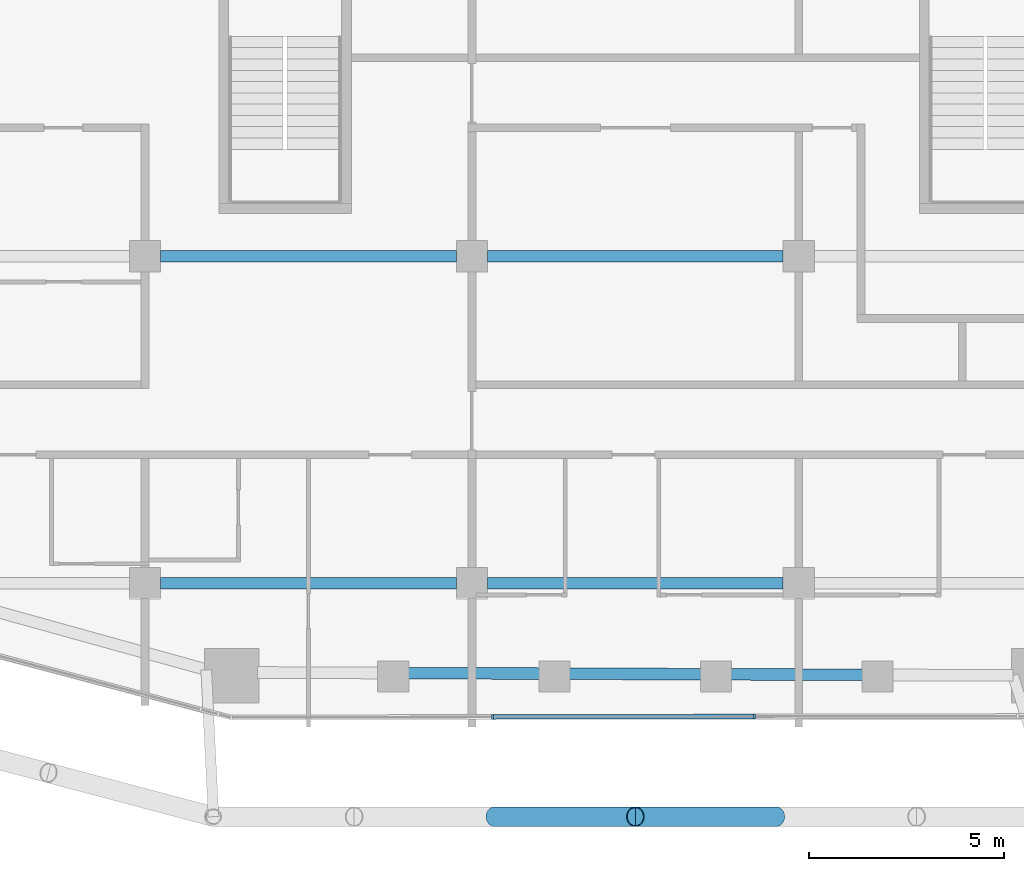
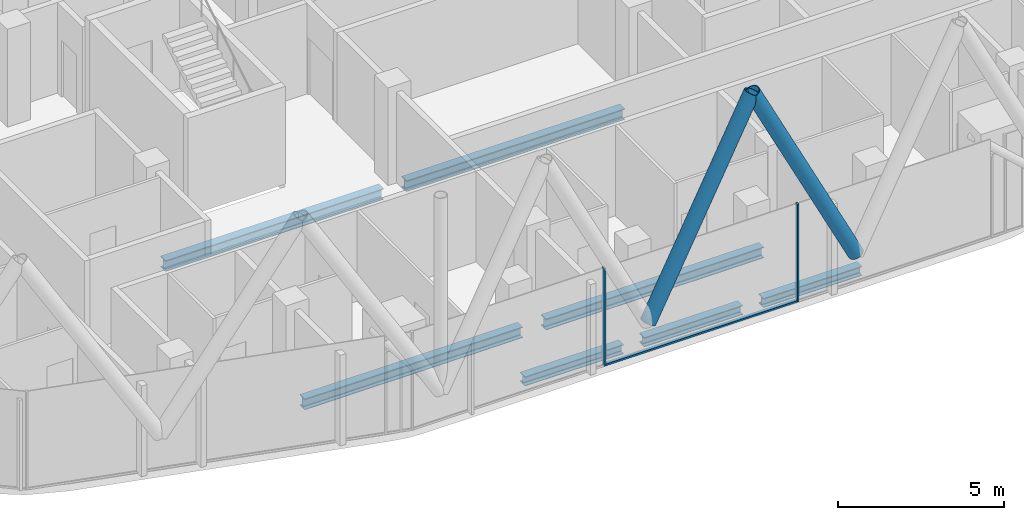
# One storey, part 3 of 28: 7 beams, 5 members, 1 element without a shape of its own.
"""IFC4 building model written with IfcOpenShell, lengths in metres."""

import ifcopenshell
import ifcopenshell.guid

model = None  # the IFC model being written
_history = None  # IfcOwnerHistory: only IFC2X3 demands one
_inside = {}  # id of a spatial element -> (the spatial element, [elements in it])
_under = {}  # id of a project, library or spatial element -> (it, [spatial elements below it])
_declared = {}  # id of a project -> (the project, [libraries it declares])
_typed = {}  # id of a type object -> (the type object, [elements of that type])
_made_of = {}  # id of a material, layer set ... -> (it, [elements and type objects made of it])


def new_model(schema):
    """Start an empty IFC model of exactly this schema.

    Asked for "IFC4X3", IfcOpenShell would pick the latest addendum, in which some entities
    have other attributes; the version numbers below select the first issue.
    IFC2X3 requires an IfcOwnerHistory on every rooted entity: one is made here for all.
    """
    global model, _history
    if schema == "IFC4X3":
        model = ifcopenshell.file(schema_version=(4, 3, 0, 0))
    else:
        model = ifcopenshell.file(schema=schema)
    _inside.clear()
    _under.clear()
    _declared.clear()
    _typed.clear()
    _made_of.clear()
    _history = None
    if model.schema == "IFC2X3":
        org = make("IfcOrganization", Name="unknown")
        user = make(
            "IfcPersonAndOrganization",
            ThePerson=make("IfcPerson", FamilyName="unknown"),
            TheOrganization=org,
        )
        app = make(
            "IfcApplication",
            ApplicationDeveloper=org,
            Version="unknown",
            ApplicationFullName="unknown",
            ApplicationIdentifier="unknown",
        )
        _history = make(
            "IfcOwnerHistory",
            OwningUser=user,
            OwningApplication=app,
            ChangeAction="ADDED",
            CreationDate=0,
        )
    return model


def make(cls, **values):
    """One entity of the class cls with the attributes given. An attribute that is None is left unset."""
    return model.create_entity(
        cls, **{name: value for name, value in values.items() if value is not None}
    )


def rooted(cls, **values):
    """An entity with a GlobalId (a new one), such as an element, a storey or a relation."""
    return make(cls, GlobalId=ifcopenshell.guid.new(), OwnerHistory=_history, **values)


def si_unit(unit_type, name, prefix=None):
    """IfcSIUnit, for example si_unit("LENGTHUNIT", "METRE", prefix="MILLI")."""
    return make("IfcSIUnit", UnitType=unit_type, Prefix=prefix, Name=name)


def assignment(units):
    """IfcUnitAssignment: the units of a project."""
    return None if units is None else make("IfcUnitAssignment", Units=units)


def point(xyz):
    """IfcCartesianPoint."""
    return None if xyz is None else make("IfcCartesianPoint", Coordinates=xyz)


def direction(xyz):
    """IfcDirection."""
    return None if xyz is None else make("IfcDirection", DirectionRatios=xyz)


def frame(location, z_axis=None, x_axis=None):
    """IfcAxis2Placement3D, a coordinate frame: its origin and axes. An axis left out is left unset."""
    return make(
        "IfcAxis2Placement3D",
        Location=point(location),
        Axis=direction(z_axis),
        RefDirection=direction(x_axis),
    )


def frame_2d(location, x_axis=None):
    """IfcAxis2Placement2D, a coordinate frame in the plane: its origin and x axis."""
    return make(
        "IfcAxis2Placement2D", Location=point(location), RefDirection=direction(x_axis)
    )


def origin():
    """The frame at (0, 0, 0) with its axes left unset."""
    return frame((0.0, 0.0, 0.0))


def origin_2d():
    """The frame at (0, 0) in the plane with its x axis left unset."""
    return frame_2d((0.0, 0.0))


def place(relative_to, where):
    """IfcLocalPlacement: puts the frame where relative to a parent placement (None: the world)."""
    return make(
        "IfcLocalPlacement", PlacementRelTo=relative_to, RelativePlacement=where
    )


def context(
    kind, dimensions, precision=None, world=None, true_north=None, identifier=None
):
    """IfcGeometricRepresentationContext, for example the 3D "Model" context."""
    return make(
        "IfcGeometricRepresentationContext",
        ContextIdentifier=identifier,
        ContextType=kind,
        CoordinateSpaceDimension=dimensions,
        Precision=precision,
        WorldCoordinateSystem=world,
        TrueNorth=true_north,
    )


def subcontext(parent, identifier, kind, view, scale=None):
    """IfcGeometricRepresentationSubContext, for example "Body" below "Model"."""
    return make(
        "IfcGeometricRepresentationSubContext",
        ContextIdentifier=identifier,
        ContextType=kind,
        ParentContext=parent,
        TargetScale=scale,
        TargetView=view,
    )


def project(units=None, contexts=None):
    """IfcProject with its units and contexts."""
    return rooted(
        "IfcProject",
        Name="project",
        RepresentationContexts=contexts,
        UnitsInContext=assignment(units),
    )


def spatial(cls, under=None, at=None, **own):
    """A site, building, storey or space (cls), placed at a placement, below another one or the project."""
    s = rooted(cls, ObjectPlacement=at, **own)
    if under is not None:
        _under.setdefault(under.id(), (under, []))[1].append(s)
    return s


def profile(cls, at=None, kind="AREA", **sizes):
    """A parametric profile (cls). Its sizes go by their IFC names, for example OverallWidth=200.0."""
    return make(cls, ProfileType=kind, Position=at, **sizes)


def rectangle(**sizes):
    """IfcRectangleProfileDef."""
    return profile("IfcRectangleProfileDef", **sizes)


def hollow_circle(**sizes):
    """IfcCircleHollowProfileDef."""
    return profile("IfcCircleHollowProfileDef", **sizes)


def i_section(**sizes):
    """IfcIShapeProfileDef."""
    return profile("IfcIShapeProfileDef", **sizes)


def extrude(swept, where, along, depth):
    """IfcExtrudedAreaSolid: the profile swept, set in the frame where, extruded along a direction by depth."""
    return make(
        "IfcExtrudedAreaSolid",
        SweptArea=swept,
        Position=where,
        ExtrudedDirection=direction(along),
        Depth=depth,
    )


def shape(context_of_items, identifier, shape_type, items):
    """IfcShapeRepresentation: the items that make up one representation, for example the "Body"."""
    return make(
        "IfcShapeRepresentation",
        ContextOfItems=context_of_items,
        RepresentationIdentifier=identifier,
        RepresentationType=shape_type,
        Items=items,
    )


def material(Name=None, Category=None):
    """IfcMaterial."""
    return make("IfcMaterial", Name=Name, Category=Category)


def layer(
    of_material, thickness, ventilated=None, Name=None, Category=None, Priority=None
):
    """IfcMaterialLayer: one layer of a wall or slab, of a material (None: an air gap)."""
    return make(
        "IfcMaterialLayer",
        Material=of_material,
        LayerThickness=thickness,
        IsVentilated=ventilated,
        Name=Name,
        Category=Category,
        Priority=Priority,
    )


def layer_set(layers, Name=None):
    """IfcMaterialLayerSet."""
    return make("IfcMaterialLayerSet", MaterialLayers=layers, LayerSetName=Name)


def material_profile(
    of_material, cross_section, Name=None, Category=None, Priority=None
):
    """IfcMaterialProfile: a cross section and its material."""
    return make(
        "IfcMaterialProfile",
        Name=Name,
        Material=of_material,
        Profile=cross_section,
        Priority=Priority,
        Category=Category,
    )


def profile_set(profiles, Name=None, composite=None):
    """IfcMaterialProfileSet."""
    return make(
        "IfcMaterialProfileSet",
        Name=Name,
        MaterialProfiles=profiles,
        CompositeProfile=composite,
    )


def made_of(thing, what):
    """Note that an element or type object is made of a material, layer set ...; save() writes the relation."""
    if what is not None:
        _made_of.setdefault(what.id(), (what, []))[1].append(thing)
    return thing


def type_object(cls, material=None, **own):
    """A type object (cls), such as IfcWallType, which elements share."""
    return made_of(rooted(cls, **own), material)


def element(
    cls,
    number,
    at=None,
    inside=None,
    cuts=None,
    type_object=None,
    material=None,
    context=None,
    identifier="Body",
    shape_type=None,
    held_by="IfcProductDefinitionShape",
    body=None,
    shapes=None,
    **own,
):
    """One element of the class cls, such as IfcWall. Its Tag is "e" and its number.

    at: its placement. inside: the storey or other place that contains it. cuts: it is an
    opening in that element (IfcRelVoidsElement). A single representation is given by context,
    identifier, shape_type and body (its items); several are given by shapes. held_by: the class
    of the entity that holds the representations. save() writes the other relations.
    """
    e = rooted(cls, Tag="e%d" % number, ObjectPlacement=at, **own)
    if body is not None:
        shapes = [shape(context, identifier, shape_type, body)]
    if shapes is not None:
        e.Representation = make(held_by, Representations=shapes)
    if inside is not None:
        _inside.setdefault(inside.id(), (inside, []))[1].append(e)
    if cuts is not None:
        rooted(
            "IfcRelVoidsElement", RelatingBuildingElement=cuts, RelatedOpeningElement=e
        )
    if type_object is not None:
        _typed.setdefault(type_object.id(), (type_object, []))[1].append(e)
    return made_of(e, material)


def aggregate(whole, parts):
    """IfcRelAggregates: a whole, such as a stair, and the parts it consists of."""
    return rooted("IfcRelAggregates", RelatingObject=whole, RelatedObjects=parts)


def save(model, path):
    """Write the relations noted so far, then the file.

    IfcRelAggregates (storeys below a building ...), IfcRelContainedInSpatialStructure (elements
    in a storey), IfcRelDefinesByType, IfcRelAssociatesMaterial and IfcRelDeclares: one each for
    every whole, place, type object, material and project.
    """
    for whole, parts in _under.values():
        aggregate(whole, parts)
    for where, things in _inside.values():
        rooted(
            "IfcRelContainedInSpatialStructure",
            RelatedElements=things,
            RelatingStructure=where,
        )
    for kind, things in _typed.values():
        rooted("IfcRelDefinesByType", RelatedObjects=things, RelatingType=kind)
    for what, things in _made_of.values():
        rooted("IfcRelAssociatesMaterial", RelatedObjects=things, RelatingMaterial=what)
    for by, libraries in _declared.values():
        rooted("IfcRelDeclares", RelatingContext=by, RelatedDefinitions=libraries)
    model.write(path)


model = new_model("IFC4")

# Units and contexts
model_context = context("Model", 3, precision=1e-05, world=origin(), true_north=direction((0.0, 1.0)))
body_context = subcontext(model_context, "Body", "Model", "MODEL_VIEW")
ifc_project = project(units=[si_unit("LENGTHUNIT", "METRE"), si_unit("AREAUNIT", "SQUARE_METRE"), si_unit("VOLUMEUNIT", "CUBIC_METRE"), si_unit("PLANEANGLEUNIT", "RADIAN"), si_unit("MASSUNIT", "GRAM", prefix="KILO")], contexts=[model_context])

# Site, building, storey
site_placement = place(None, origin())
site = spatial("IfcSite", under=ifc_project, at=site_placement, CompositionType="ELEMENT")
building_placement = place(site_placement, origin())
building = spatial("IfcBuilding", under=site, at=building_placement, Name="Marenta Gate Hotel Tower", CompositionType="ELEMENT")
storey_placement = place(building_placement, frame((0.0, 0.0, 198.5)))
storey = spatial("IfcBuildingStorey", under=building, at=storey_placement, Name="L45", CompositionType="ELEMENT", Elevation=198.5)

# Members
ifc_material_1 = material(Name="Steel S355J2W", Category="steel")
ifc_material_profile_1 = material_profile(ifc_material_1, hollow_circle(Radius=0.25390625, WallThickness=0.02490234375, at=origin_2d()), Name="CHS 508x25")
ifc_profile_set_1 = profile_set([ifc_material_profile_1], Name="Steel S355J2W")
member_type_1 = type_object("IfcMemberType", Name="Diagrid diagonal Z3 CHS 508x25", PredefinedType="BRACE", material=ifc_profile_set_1)
for number, where, z_axis, x_axis, name in (
    (1, (3.613037109375, -31.199951171875, 3.139892578125), (-0.44849810728, 0.0, 0.893783781329), (0.0, -1.0, 0.0), "L45-DG-17"),
    (2, (-3.613037109375, -31.199951171875, 3.139892578125), (0.44849810728, 0.0, 0.893783781329), (0.0, 1.0, 0.0), "L45-DG-18"),
):
    element("IfcMember", number, at=place(storey_placement, frame(where, z_axis=z_axis, x_axis=x_axis)), inside=storey, type_object=member_type_1, Name=name, PredefinedType="BRACE", context=body_context, shape_type="SweptSolid", body=[
        extrude(hollow_circle(Radius=0.25390625, WallThickness=0.02490234375, at=origin_2d()), origin(), (0.0, 0.0, 1.0), 8.055908203125),
    ])

# Beams
ifc_material_2 = material(Name="Steel S355", Category="steel")
ifc_material_profile_2 = material_profile(ifc_material_2, i_section(OverallWidth=0.300048828125, OverallDepth=0.340087890625, WebThickness=0.011962890625, FlangeThickness=0.021484375, FilletRadius=0.027099609375, at=origin_2d()), Name="HEB 340")
ifc_profile_set_2 = profile_set([ifc_material_profile_2], Name="Steel S355")
beam_type_1 = type_object("IfcBeamType", Name="Edge beam HEB 340", PredefinedType="SPANDREL", material=ifc_profile_set_2)
for number, where, z_axis, x_axis, name in (
    (3, (5.860107421875, -27.555419921875, -0.429931640625), (-0.999992599416, 0.003847221457, 0.0), (-0.003847221457, -0.999992599416, 0.0), "L45-EB-33"),
    (4, (1.71337890625, -27.539306640625, -0.429931640625), (-0.999992599416, 0.003847221457, 0.0), (-0.003847221457, -0.999992599416, 0.0), "L45-EB-34"),
    (5, (-2.433349609375, -27.5234375, -0.429931640625), (-0.999992599416, 0.003847221457, 0.0), (-0.003847221457, -0.999992599416, 0.0), "L45-EB-35"),
):
    element("IfcBeam", number, at=place(storey_placement, frame(where, z_axis=z_axis, x_axis=x_axis)), inside=storey, type_object=beam_type_1, Name=name, PredefinedType="SPANDREL", context=body_context, shape_type="SweptSolid", body=[
        extrude(i_section(OverallWidth=0.300048828125, OverallDepth=0.340087890625, WebThickness=0.011962890625, FlangeThickness=0.021484375, FilletRadius=0.027099609375, at=origin_2d()), origin(), (0.0, 0.0, 1.0), 3.4267578125),
    ])
ifc_material_3 = material(Name="Steel S355", Category="steel")
ifc_material_profile_3 = material_profile(ifc_material_3, i_section(OverallWidth=0.300048828125, OverallDepth=0.39990234375, WebThickness=0.013427734375, FlangeThickness=0.02392578125, FilletRadius=0.027099609375, at=origin_2d()), Name="HEB 400")
ifc_profile_set_3 = profile_set([ifc_material_profile_3], Name="Steel S355")
beam_type_2 = type_object("IfcBeamType", Name="Girder HEB 400", PredefinedType="BEAM", material=ifc_profile_set_3)
beam_1_placement = place(storey_placement, frame((-12.199951171875, -25.199951171875, -0.4599609375), z_axis=(1.0, 0.0, 0.0), x_axis=(0.0, 1.0, 0.0)))
element("IfcBeam", 6, at=beam_1_placement, inside=storey, type_object=beam_type_2, Name="L45-GD-2", PredefinedType="BEAM", context=body_context, shape_type="SweptSolid", body=[
    extrude(i_section(OverallWidth=0.300048828125, OverallDepth=0.39990234375, WebThickness=0.013427734375, FlangeThickness=0.02392578125, FilletRadius=0.027099609375, at=origin_2d()), origin(), (0.0, 0.0, 1.0), 7.599853515625),
])
beam_2_placement = place(storey_placement, frame((-3.800048828125, -25.199951171875, -0.4599609375), z_axis=(1.0, 0.0, 0.0), x_axis=(0.0, 1.0, 0.0)))
element("IfcBeam", 7, at=beam_2_placement, inside=storey, type_object=beam_type_2, Name="L45-GD-3", PredefinedType="BEAM", context=body_context, shape_type="SweptSolid", body=[
    extrude(i_section(OverallWidth=0.300048828125, OverallDepth=0.39990234375, WebThickness=0.013427734375, FlangeThickness=0.02392578125, FilletRadius=0.027099609375, at=origin_2d()), origin(), (0.0, 0.0, 1.0), 7.60009765625),
])
beam_3_placement = place(storey_placement, frame((-12.199951171875, -16.800048828125, -0.4599609375), z_axis=(1.0, 0.0, 0.0), x_axis=(0.0, 1.0, 0.0)))
element("IfcBeam", 8, at=beam_3_placement, inside=storey, type_object=beam_type_2, Name="L45-GD-8", PredefinedType="BEAM", context=body_context, shape_type="SweptSolid", body=[
    extrude(i_section(OverallWidth=0.300048828125, OverallDepth=0.39990234375, WebThickness=0.013427734375, FlangeThickness=0.02392578125, FilletRadius=0.027099609375, at=origin_2d()), origin(), (0.0, 0.0, 1.0), 7.599853515625),
])
beam_4_placement = place(storey_placement, frame((-3.800048828125, -16.800048828125, -0.4599609375), z_axis=(1.0, 0.0, 0.0), x_axis=(0.0, 1.0, 0.0)))
element("IfcBeam", 9, at=beam_4_placement, inside=storey, type_object=beam_type_2, Name="L45-GD-9", PredefinedType="BEAM", context=body_context, shape_type="SweptSolid", body=[
    extrude(i_section(OverallWidth=0.300048828125, OverallDepth=0.39990234375, WebThickness=0.013427734375, FlangeThickness=0.02392578125, FilletRadius=0.027099609375, at=origin_2d()), origin(), (0.0, 0.0, 1.0), 7.60009765625),
])

# Curtain wall, members
ifc_material_4 = material(Name="Tinted insulated glass in bronze anodised frame", Category="glass")
ifc_layer = layer(ifc_material_4, 0.1201171875)
ifc_layer_set = layer_set([ifc_layer], Name="Tinted insulated glass in bronze anodised frame")
curtain_wall_type = type_object("IfcCurtainWallType", Name="Tower unitised curtain wall CW1", PredefinedType="NOTDEFINED", material=ifc_layer_set)
curtain_wall_placement = place(storey_placement, origin())
curtain_wall = element("IfcCurtainWall", 10, at=curtain_wall_placement, inside=storey, type_object=curtain_wall_type, Name="CW1 run G12", PredefinedType="NOTDEFINED")
ifc_material_5 = material(Name="Bronze anodised aluminium", Category="aluminium")
ifc_material_profile_4 = material_profile(ifc_material_5, rectangle(XDim=0.1201171875, YDim=0.06005859375, at=origin_2d()), Name="Mullion CW1 60x120 bronze anodised aluminium")
ifc_profile_set_4 = profile_set([ifc_material_profile_4], Name="Bronze anodised aluminium")
member_type_2 = type_object("IfcMemberType", Name="Mullion CW1 60x120 bronze anodised aluminium", PredefinedType="MULLION", material=ifc_profile_set_4)
member_1_placement = place(storey_placement, frame((-3.67236328125, -28.636474609375, 0.0), z_axis=(0.0, 0.0, 1.0), x_axis=(-0.001643488917, 0.999998649471, 0.0)))
member_1 = element("IfcMember", 11, at=member_1_placement, type_object=member_type_2, Name="CW1 mullion 2", PredefinedType="MULLION", context=body_context, shape_type="SweptSolid", body=[
    extrude(rectangle(XDim=0.1201171875, YDim=0.06005859375, at=origin_2d()), origin(), (0.0, 0.0, 1.0), 3.60009765625),
])
member_2_placement = place(storey_placement, frame((3.061279296875, -28.62548828125, 0.0), z_axis=(0.0, 0.0, 1.0), x_axis=(-0.001643488917, 0.999998649471, 0.0)))
member_2 = element("IfcMember", 12, at=member_2_placement, type_object=member_type_2, Name="CW1 mullion 3", PredefinedType="MULLION", context=body_context, shape_type="SweptSolid", body=[
    extrude(rectangle(XDim=0.1201171875, YDim=0.06005859375, at=origin_2d()), origin(), (0.0, 0.0, 1.0), 3.60009765625),
])
ifc_material_6 = material(Name="Bronze anodised aluminium", Category="aluminium")
ifc_material_profile_5 = material_profile(ifc_material_6, rectangle(XDim=0.1201171875, YDim=0.06005859375, at=origin_2d()), Name="Transom CW1 60x120 bronze anodised aluminium")
ifc_profile_set_5 = profile_set([ifc_material_profile_5], Name="Bronze anodised aluminium")
member_type_3 = type_object("IfcMemberType", Name="Transom CW1 60x120 bronze anodised aluminium", PredefinedType="USERDEFINED", material=ifc_profile_set_5)
member_3_placement = place(storey_placement, frame((-3.642333984375, -28.636474609375, 0.030029296875), z_axis=(0.999998644948, 0.001646238852, 0.0), x_axis=(-0.001646238852, 0.999998644948, 0.0)))
member_3 = element("IfcMember", 13, at=member_3_placement, type_object=member_type_3, Name="CW1 transom 2.1", ObjectType="TRANSOM", PredefinedType="USERDEFINED", context=body_context, shape_type="SweptSolid", body=[
    extrude(rectangle(XDim=0.1201171875, YDim=0.06005859375, at=origin_2d()), origin(), (0.0, 0.0, 1.0), 6.673583984375),
])
aggregate(curtain_wall, [member_1, member_2, member_3])

save(model, "model.ifc")
